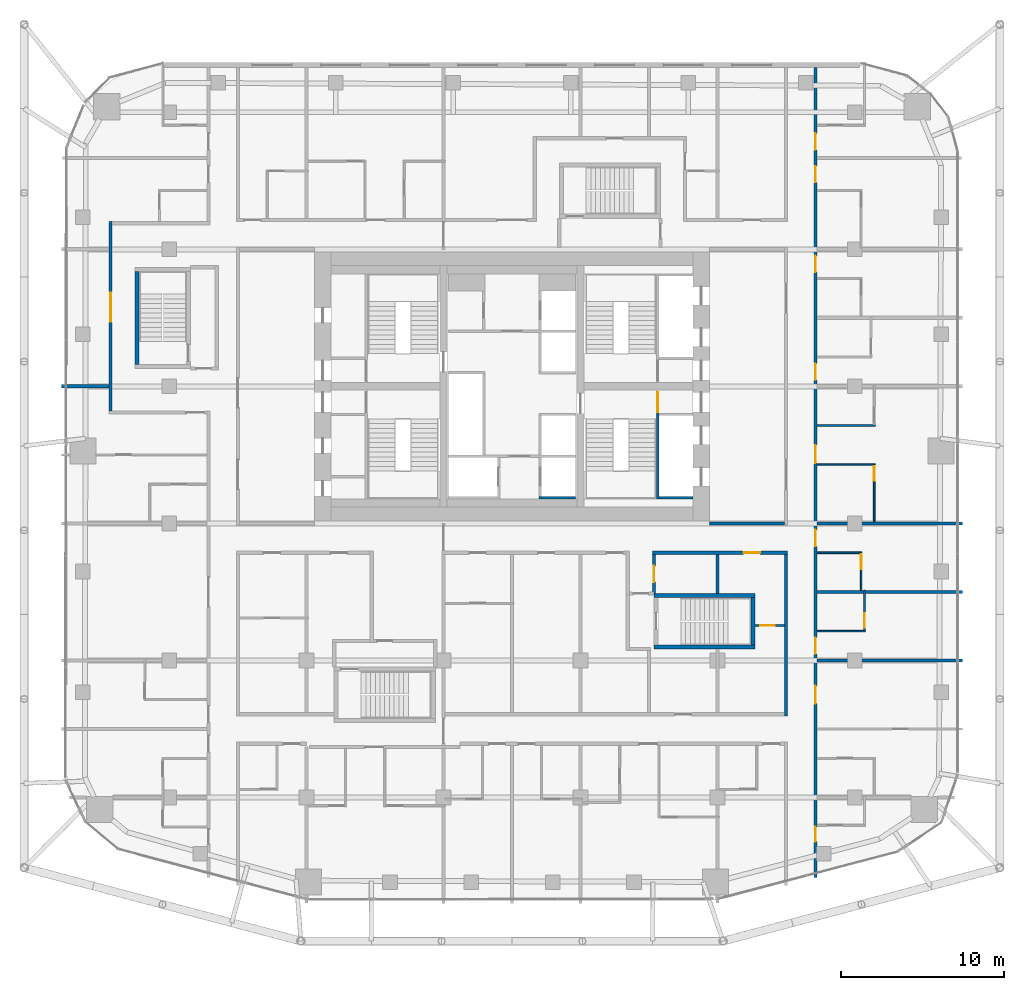
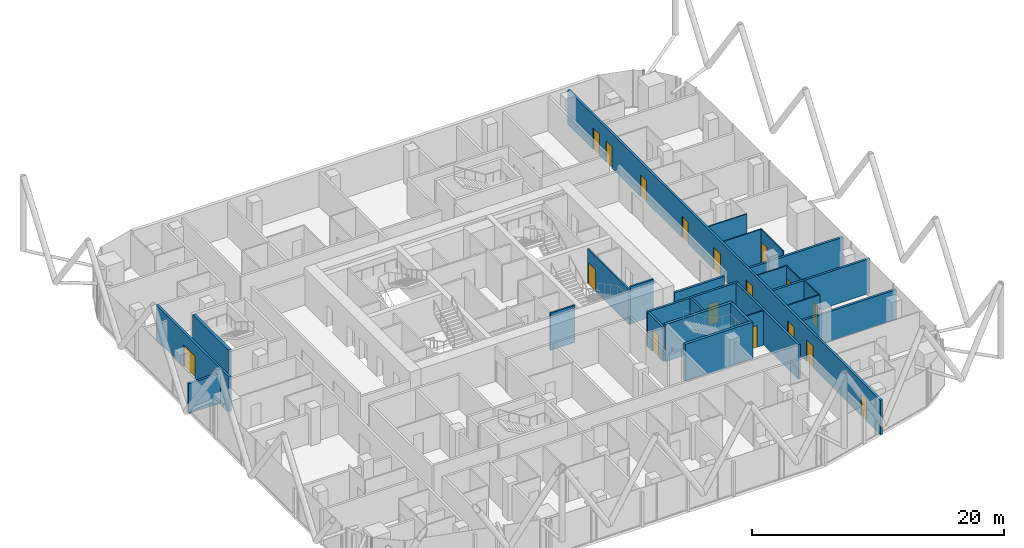
# One storey, part 30 of 36: 26 walls, 17 doors, 17 openings.
"""IFC4 building model written with IfcOpenShell, lengths in metres."""

import ifcopenshell
import ifcopenshell.guid

model = None  # the IFC model being written
_history = None  # IfcOwnerHistory: only IFC2X3 demands one
_inside = {}  # id of a spatial element -> (the spatial element, [elements in it])
_under = {}  # id of a project, library or spatial element -> (it, [spatial elements below it])
_declared = {}  # id of a project -> (the project, [libraries it declares])
_typed = {}  # id of a type object -> (the type object, [elements of that type])
_made_of = {}  # id of a material, layer set ... -> (it, [elements and type objects made of it])


def new_model(schema):
    """Start an empty IFC model of exactly this schema.

    Asked for "IFC4X3", IfcOpenShell would pick the latest addendum, in which some entities
    have other attributes; the version numbers below select the first issue.
    IFC2X3 requires an IfcOwnerHistory on every rooted entity: one is made here for all.
    """
    global model, _history
    if schema == "IFC4X3":
        model = ifcopenshell.file(schema_version=(4, 3, 0, 0))
    else:
        model = ifcopenshell.file(schema=schema)
    _inside.clear()
    _under.clear()
    _declared.clear()
    _typed.clear()
    _made_of.clear()
    _history = None
    if model.schema == "IFC2X3":
        org = make("IfcOrganization", Name="unknown")
        user = make(
            "IfcPersonAndOrganization",
            ThePerson=make("IfcPerson", FamilyName="unknown"),
            TheOrganization=org,
        )
        app = make(
            "IfcApplication",
            ApplicationDeveloper=org,
            Version="unknown",
            ApplicationFullName="unknown",
            ApplicationIdentifier="unknown",
        )
        _history = make(
            "IfcOwnerHistory",
            OwningUser=user,
            OwningApplication=app,
            ChangeAction="ADDED",
            CreationDate=0,
        )
    return model


def make(cls, **values):
    """One entity of the class cls with the attributes given. An attribute that is None is left unset."""
    return model.create_entity(
        cls, **{name: value for name, value in values.items() if value is not None}
    )


def rooted(cls, **values):
    """An entity with a GlobalId (a new one), such as an element, a storey or a relation."""
    return make(cls, GlobalId=ifcopenshell.guid.new(), OwnerHistory=_history, **values)


def si_unit(unit_type, name, prefix=None):
    """IfcSIUnit, for example si_unit("LENGTHUNIT", "METRE", prefix="MILLI")."""
    return make("IfcSIUnit", UnitType=unit_type, Prefix=prefix, Name=name)


def assignment(units):
    """IfcUnitAssignment: the units of a project."""
    return None if units is None else make("IfcUnitAssignment", Units=units)


def point(xyz):
    """IfcCartesianPoint."""
    return None if xyz is None else make("IfcCartesianPoint", Coordinates=xyz)


def direction(xyz):
    """IfcDirection."""
    return None if xyz is None else make("IfcDirection", DirectionRatios=xyz)


def frame(location, z_axis=None, x_axis=None):
    """IfcAxis2Placement3D, a coordinate frame: its origin and axes. An axis left out is left unset."""
    return make(
        "IfcAxis2Placement3D",
        Location=point(location),
        Axis=direction(z_axis),
        RefDirection=direction(x_axis),
    )


def frame_2d(location, x_axis=None):
    """IfcAxis2Placement2D, a coordinate frame in the plane: its origin and x axis."""
    return make(
        "IfcAxis2Placement2D", Location=point(location), RefDirection=direction(x_axis)
    )


def origin():
    """The frame at (0, 0, 0) with its axes left unset."""
    return frame((0.0, 0.0, 0.0))


def place(relative_to, where):
    """IfcLocalPlacement: puts the frame where relative to a parent placement (None: the world)."""
    return make(
        "IfcLocalPlacement", PlacementRelTo=relative_to, RelativePlacement=where
    )


def context(
    kind, dimensions, precision=None, world=None, true_north=None, identifier=None
):
    """IfcGeometricRepresentationContext, for example the 3D "Model" context."""
    return make(
        "IfcGeometricRepresentationContext",
        ContextIdentifier=identifier,
        ContextType=kind,
        CoordinateSpaceDimension=dimensions,
        Precision=precision,
        WorldCoordinateSystem=world,
        TrueNorth=true_north,
    )


def subcontext(parent, identifier, kind, view, scale=None):
    """IfcGeometricRepresentationSubContext, for example "Body" below "Model"."""
    return make(
        "IfcGeometricRepresentationSubContext",
        ContextIdentifier=identifier,
        ContextType=kind,
        ParentContext=parent,
        TargetScale=scale,
        TargetView=view,
    )


def project(units=None, contexts=None):
    """IfcProject with its units and contexts."""
    return rooted(
        "IfcProject",
        Name="project",
        RepresentationContexts=contexts,
        UnitsInContext=assignment(units),
    )


def spatial(cls, under=None, at=None, **own):
    """A site, building, storey or space (cls), placed at a placement, below another one or the project."""
    s = rooted(cls, ObjectPlacement=at, **own)
    if under is not None:
        _under.setdefault(under.id(), (under, []))[1].append(s)
    return s


def profile(cls, at=None, kind="AREA", **sizes):
    """A parametric profile (cls). Its sizes go by their IFC names, for example OverallWidth=200.0."""
    return make(cls, ProfileType=kind, Position=at, **sizes)


def rectangle(**sizes):
    """IfcRectangleProfileDef."""
    return profile("IfcRectangleProfileDef", **sizes)


def extrude(swept, where, along, depth):
    """IfcExtrudedAreaSolid: the profile swept, set in the frame where, extruded along a direction by depth."""
    return make(
        "IfcExtrudedAreaSolid",
        SweptArea=swept,
        Position=where,
        ExtrudedDirection=direction(along),
        Depth=depth,
    )


def shape(context_of_items, identifier, shape_type, items):
    """IfcShapeRepresentation: the items that make up one representation, for example the "Body"."""
    return make(
        "IfcShapeRepresentation",
        ContextOfItems=context_of_items,
        RepresentationIdentifier=identifier,
        RepresentationType=shape_type,
        Items=items,
    )


def material(Name=None, Category=None):
    """IfcMaterial."""
    return make("IfcMaterial", Name=Name, Category=Category)


def layer(
    of_material, thickness, ventilated=None, Name=None, Category=None, Priority=None
):
    """IfcMaterialLayer: one layer of a wall or slab, of a material (None: an air gap)."""
    return make(
        "IfcMaterialLayer",
        Material=of_material,
        LayerThickness=thickness,
        IsVentilated=ventilated,
        Name=Name,
        Category=Category,
        Priority=Priority,
    )


def layer_set(layers, Name=None):
    """IfcMaterialLayerSet."""
    return make("IfcMaterialLayerSet", MaterialLayers=layers, LayerSetName=Name)


def made_of(thing, what):
    """Note that an element or type object is made of a material, layer set ...; save() writes the relation."""
    if what is not None:
        _made_of.setdefault(what.id(), (what, []))[1].append(thing)
    return thing


def type_object(cls, material=None, **own):
    """A type object (cls), such as IfcWallType, which elements share."""
    return made_of(rooted(cls, **own), material)


def element(
    cls,
    number,
    at=None,
    inside=None,
    cuts=None,
    type_object=None,
    material=None,
    context=None,
    identifier="Body",
    shape_type=None,
    held_by="IfcProductDefinitionShape",
    body=None,
    shapes=None,
    **own,
):
    """One element of the class cls, such as IfcWall. Its Tag is "e" and its number.

    at: its placement. inside: the storey or other place that contains it. cuts: it is an
    opening in that element (IfcRelVoidsElement). A single representation is given by context,
    identifier, shape_type and body (its items); several are given by shapes. held_by: the class
    of the entity that holds the representations. save() writes the other relations.
    """
    e = rooted(cls, Tag="e%d" % number, ObjectPlacement=at, **own)
    if body is not None:
        shapes = [shape(context, identifier, shape_type, body)]
    if shapes is not None:
        e.Representation = make(held_by, Representations=shapes)
    if inside is not None:
        _inside.setdefault(inside.id(), (inside, []))[1].append(e)
    if cuts is not None:
        rooted(
            "IfcRelVoidsElement", RelatingBuildingElement=cuts, RelatedOpeningElement=e
        )
    if type_object is not None:
        _typed.setdefault(type_object.id(), (type_object, []))[1].append(e)
    return made_of(e, material)


def fill(opening, filler):
    """IfcRelFillsElement: the door or window that sits in an opening."""
    return rooted(
        "IfcRelFillsElement",
        RelatingOpeningElement=opening,
        RelatedBuildingElement=filler,
    )


def aggregate(whole, parts):
    """IfcRelAggregates: a whole, such as a stair, and the parts it consists of."""
    return rooted("IfcRelAggregates", RelatingObject=whole, RelatedObjects=parts)


def save(model, path):
    """Write the relations noted so far, then the file.

    IfcRelAggregates (storeys below a building ...), IfcRelContainedInSpatialStructure (elements
    in a storey), IfcRelDefinesByType, IfcRelAssociatesMaterial and IfcRelDeclares: one each for
    every whole, place, type object, material and project.
    """
    for whole, parts in _under.values():
        aggregate(whole, parts)
    for where, things in _inside.values():
        rooted(
            "IfcRelContainedInSpatialStructure",
            RelatedElements=things,
            RelatingStructure=where,
        )
    for kind, things in _typed.values():
        rooted("IfcRelDefinesByType", RelatedObjects=things, RelatingType=kind)
    for what, things in _made_of.values():
        rooted("IfcRelAssociatesMaterial", RelatedObjects=things, RelatingMaterial=what)
    for by, libraries in _declared.values():
        rooted("IfcRelDeclares", RelatingContext=by, RelatedDefinitions=libraries)
    model.write(path)


model = new_model("IFC4")

# Units and contexts
model_context = context("Model", 3, precision=1e-05, world=origin(), true_north=direction((0.0, 1.0)))
body_context = subcontext(model_context, "Body", "Model", "MODEL_VIEW")
ifc_project = project(units=[si_unit("LENGTHUNIT", "METRE"), si_unit("AREAUNIT", "SQUARE_METRE"), si_unit("VOLUMEUNIT", "CUBIC_METRE"), si_unit("PLANEANGLEUNIT", "RADIAN"), si_unit("MASSUNIT", "GRAM", prefix="KILO")], contexts=[model_context])

# Site, building, storey
site_placement = place(None, origin())
site = spatial("IfcSite", under=ifc_project, at=site_placement, CompositionType="ELEMENT")
building_placement = place(site_placement, origin())
building = spatial("IfcBuilding", under=site, at=building_placement, Name="Marenta Gate Hotel Tower", CompositionType="ELEMENT")
storey_placement = place(building_placement, frame((0.0, 0.0, 130.10009765625)))
storey = spatial("IfcBuildingStorey", under=building, at=storey_placement, Name="L29", CompositionType="ELEMENT", Elevation=130.10009765625)

# Walls
ifc_material_1 = material(Name="Concrete blockwork", Category="masonry")
ifc_layer_1 = layer(ifc_material_1, 0.199951171875)
ifc_layer_set_1 = layer_set([ifc_layer_1], Name="Concrete blockwork")
wall_type_1 = type_object("IfcWallType", Name="Core boundary wall 200 REI 180", PredefinedType="PARTITIONING", material=ifc_layer_set_1)
wall_1_placement = place(storey_placement, frame((12.10009765625, 0.0, 0.0), z_axis=(0.0, 0.0, 1.0), x_axis=(1.0, 0.0, 0.0)))
element("IfcWall", 1, at=wall_1_placement, inside=storey, type_object=wall_type_1, Name="L29-CP-EW-ES", PredefinedType="PARTITIONING", context=body_context, shape_type="SweptSolid", body=[
    extrude(rectangle(XDim=4.599853515625, YDim=0.199951171875, at=frame_2d((2.2998046875, 0.0))), origin(), (0.0, 0.0, 1.0), 2.889892578125),
])
ifc_material_2 = material(Name="Concrete C40", Category="concrete")
ifc_layer_2 = layer(ifc_material_2, 0.14990234375)
ifc_layer_set_2 = layer_set([ifc_layer_2], Name="Concrete C40")
wall_type_2 = type_object("IfcWallType", Name="Core shaft wall 150 REI 180", PredefinedType="SHEAR", material=ifc_layer_set_2)
wall_2_placement = place(storey_placement, frame((9.0, 1.574951171875, 0.0), z_axis=(0.0, 0.0, 1.0), x_axis=(1.0, 0.0, 0.0)))
element("IfcWall", 2, at=wall_2_placement, inside=storey, type_object=wall_type_2, Name="L29-SHF-SW-ES-5", PredefinedType="SHEAR", context=body_context, shape_type="SweptSolid", body=[
    extrude(rectangle(XDim=2.10009765625, YDim=0.14990234375, at=frame_2d((1.050048828125, 0.0))), origin(), (0.0, 0.0, 1.0), 3.599853515625),
])
wall_3_placement = place(storey_placement, frame((1.64990234375, 1.574951171875, 0.0), z_axis=(0.0, 0.0, 1.0), x_axis=(1.0, 0.0, 0.0)))
element("IfcWall", 3, at=wall_3_placement, inside=storey, type_object=wall_type_2, Name="L29-SHF-CE-S-bot", PredefinedType="SHEAR", context=body_context, shape_type="SweptSolid", body=[
    extrude(rectangle(XDim=2.25, YDim=0.14990234375, at=frame_2d((1.125, 0.0))), origin(), (0.0, 0.0, 1.0), 3.599853515625),
])

# Wall, opening, door
ifc_material_3 = material(Name="Concrete C40", Category="concrete")
ifc_layer_3 = layer(ifc_material_3, 0.14990234375)
ifc_layer_set_3 = layer_set([ifc_layer_3], Name="Concrete C40")
wall_type_3 = type_object("IfcWallType", Name="Core stair enclosure wall 150 REI 180", PredefinedType="SHEAR", material=ifc_layer_set_3)
wall_4_placement = place(storey_placement, frame((8.925048828125, 1.5, 0.0), z_axis=(0.0, 0.0, 1.0), x_axis=(0.0, 1.0, 0.0)))
wall_4 = element("IfcWall", 4, at=wall_4_placement, inside=storey, type_object=wall_type_3, Name="L29-SHF-SW-ES-3", PredefinedType="SHEAR", context=body_context, shape_type="SweptSolid", body=[
    extrude(rectangle(XDim=6.60009765625, YDim=0.14990234375, at=frame_2d((3.300048828125, 0.0))), origin(), (0.0, 0.0, 1.0), 3.33984375),
])
opening_1_placement = place(wall_4_placement, frame((5.324951171875, 0.0, 0.0)))
opening_1 = element("IfcOpeningElement", 5, at=opening_1_placement, cuts=wall_4, Name="Opening SD-ES", PredefinedType="OPENING", context=body_context, shape_type="SweptSolid", body=[
    extrude(rectangle(XDim=1.199951171875, YDim=2.10009765625, at=frame_2d((0.60009765625, 1.050048828125))), frame((0.0, 0.074951171875, 0.0), z_axis=(0.0, -1.0, 0.0), x_axis=(1.0, 0.0, 0.0)), (0.0, 0.0, 1.0), 0.14990234375),
])
ifc_material_4 = material(Name="Steel", Category="steel")
door_type_1 = type_object("IfcDoorType", Name="Core stair door 1200x2100 FD60", OperationType="SINGLE_SWING_LEFT", PredefinedType="DOOR", material=ifc_material_4)
door_1_placement = place(opening_1_placement, origin())
door_1 = element("IfcDoor", 6, at=door_1_placement, inside=storey, type_object=door_type_1, Name="SD-ES", OperationType="SINGLE_SWING_LEFT", OverallHeight=2.10009765625, OverallWidth=1.199951171875, PredefinedType="DOOR", context=body_context, shape_type="SweptSolid", body=[
    extrude(rectangle(XDim=1.199951171875, YDim=2.10009765625, at=frame_2d((0.60009765625, 1.050048828125))), frame((0.0, 0.02490234375, 0.0), z_axis=(0.0, -1.0, 0.0), x_axis=(1.0, 0.0, 0.0)), (0.0, 0.0, 1.0), 0.050048828125),
])
fill(opening_1, door_1)

# Walls
ifc_material_5 = material(Name="Concrete C40", Category="concrete")
ifc_layer_4 = layer(ifc_material_5, 0.25)
ifc_layer_set_4 = layer_set([ifc_layer_4], Name="Concrete C40")
wall_type_4 = type_object("IfcWallType", Name="Remote stair enclosure wall 250 REI 180", PredefinedType="SHEAR", material=ifc_layer_set_4)
wall_5_placement = place(storey_placement, frame((-22.97509765625, 9.75, 0.099853515625), z_axis=(0.0, 0.0, 1.0), x_axis=(0.0, 1.0, 0.0)))
element("IfcWall", 7, at=wall_5_placement, inside=storey, type_object=wall_type_4, Name="L29-RS-Z1-3-W3", PredefinedType="SHEAR", context=body_context, shape_type="SweptSolid", body=[
    extrude(rectangle(XDim=5.699951171875, YDim=0.25, at=frame_2d((2.85009765625, 0.0))), origin(), (0.0, 0.0, 1.0), 3.60009765625),
])
for number, where, z_axis, x_axis, name in (
    (8, (8.699951171875, -7.574951171875, 0.099853515625), (0.0, 0.0, 1.0), (1.0, 0.0, 0.0), "L29-RS-Z2-2-W1"),
    (9, (8.699951171875, -4.425048828125, 0.099853515625), (0.0, 0.0, 1.0), (1.0, 0.0, 0.0), "L29-RS-Z2-2-W2"),
):
    element("IfcWall", number, at=place(storey_placement, frame(where, z_axis=z_axis, x_axis=x_axis)), inside=storey, type_object=wall_type_4, Name=name, PredefinedType="SHEAR", context=body_context, shape_type="SweptSolid", body=[
        extrude(rectangle(XDim=6.199951171875, YDim=0.25, at=frame_2d((3.10009765625, 0.0))), origin(), (0.0, 0.0, 1.0), 3.60009765625),
    ])
wall_6_placement = place(storey_placement, frame((14.77490234375, -7.449951171875, 0.099853515625), z_axis=(0.0, 0.0, 1.0), x_axis=(0.0, 1.0, 0.0)))
element("IfcWall", 10, at=wall_6_placement, inside=storey, type_object=wall_type_4, Name="L29-RS-Z2-2-W4", PredefinedType="SHEAR", context=body_context, shape_type="SweptSolid", body=[
    extrude(rectangle(XDim=2.89990234375, YDim=0.25, at=frame_2d((1.449951171875, 0.0))), origin(), (0.0, 0.0, 1.0), 3.60009765625),
])
ifc_material_6 = material(Name="Concrete blockwork", Category="masonry")
ifc_layer_5 = layer(ifc_material_6, 0.199951171875)
ifc_layer_set_5 = layer_set([ifc_layer_5], Name="Concrete blockwork")
wall_type_5 = type_object("IfcWallType", Name="Room corridor wall 200 EI 120", PredefinedType="PARTITIONING", material=ifc_layer_set_5)
wall_7_placement = place(storey_placement, frame((16.800048828125, -11.800048828125, 0.0), z_axis=(0.0, 0.0, 1.0), x_axis=(0.0, 1.0, 0.0)))
element("IfcWall", 11, at=wall_7_placement, inside=storey, type_object=wall_type_5, Name="L29-PTN-W021", PredefinedType="PARTITIONING", context=body_context, shape_type="SweptSolid", body=[
    extrude(rectangle(XDim=9.900146484375, YDim=0.199951171875, at=frame_2d((4.9501953125, 0.0))), origin(), (0.0, 0.0, 1.0), 3.33984375),
])

# Wall, openings, doors
ifc_material_7 = material(Name="Gypsum board on steel stud", Category="steel")
ifc_layer_6 = layer(ifc_material_7, 0.199951171875)
ifc_layer_set_6 = layer_set([ifc_layer_6], Name="Gypsum board on steel stud")
wall_type_6 = type_object("IfcWallType", Name="Room corridor wall 200 EI 60", PredefinedType="PARTITIONING", material=ifc_layer_set_6)
wall_8_placement = place(storey_placement, frame((18.60009765625, -21.7080078125, 0.0), z_axis=(0.0, 0.0, 1.0), x_axis=(0.0, 1.0, 0.0)))
wall_8 = element("IfcWall", 12, at=wall_8_placement, inside=storey, type_object=wall_type_6, Name="L29-PTN-W011", PredefinedType="PARTITIONING", context=body_context, shape_type="SweptSolid", body=[
    extrude(rectangle(XDim=49.64794921875, YDim=0.199951171875, at=frame_2d((24.823974609375, 0.0))), origin(), (0.0, 0.0, 1.0), 3.33984375),
])
opening_2_placement = place(wall_8_placement, frame((2.2041015625, 0.0, 0.0)))
opening_2 = element("IfcOpeningElement", 13, at=opening_2_placement, cuts=wall_8, Name="Opening G10-10", PredefinedType="OPENING", context=body_context, shape_type="SweptSolid", body=[
    extrude(rectangle(XDim=0.89990234375, YDim=2.10009765625, at=frame_2d((0.449951171875, 1.050048828125))), frame((0.0, 0.10009765625, 0.0), z_axis=(0.0, -1.0, 0.0), x_axis=(1.0, 0.0, 0.0)), (0.0, 0.0, 1.0), 0.199951171875),
])
opening_3_placement = place(wall_8_placement, frame((10.657958984375, 0.0, 0.0)))
opening_3 = element("IfcOpeningElement", 14, at=opening_3_placement, cuts=wall_8, Name="Opening G10-12", PredefinedType="OPENING", context=body_context, shape_type="SweptSolid", body=[
    extrude(rectangle(XDim=1.10009765625, YDim=2.10009765625, at=frame_2d((0.550048828125, 1.050048828125))), frame((0.0, 0.10009765625, 0.0), z_axis=(0.0, -1.0, 0.0), x_axis=(1.0, 0.0, 0.0)), (0.0, 0.0, 1.0), 0.199951171875),
])
opening_4_placement = place(wall_8_placement, frame((13.7080078125, 0.0, 0.0)))
opening_4 = element("IfcOpeningElement", 15, at=opening_4_placement, cuts=wall_8, Name="Opening G10-15", PredefinedType="OPENING", context=body_context, shape_type="SweptSolid", body=[
    extrude(rectangle(XDim=1.0, YDim=2.10009765625, at=frame_2d((0.5, 1.050048828125))), frame((0.0, 0.10009765625, 0.0), z_axis=(0.0, -1.0, 0.0), x_axis=(1.0, 0.0, 0.0)), (0.0, 0.0, 1.0), 0.199951171875),
])
opening_5_placement = place(wall_8_placement, frame((20.30810546875, 0.0, 0.0)))
opening_5 = element("IfcOpeningElement", 16, at=opening_5_placement, cuts=wall_8, Name="Opening G10-17", PredefinedType="OPENING", context=body_context, shape_type="SweptSolid", body=[
    extrude(rectangle(XDim=1.0, YDim=2.10009765625, at=frame_2d((0.5, 1.050048828125))), frame((0.0, 0.10009765625, 0.0), z_axis=(0.0, -1.0, 0.0), x_axis=(1.0, 0.0, 0.0)), (0.0, 0.0, 1.0), 0.199951171875),
])
opening_6_placement = place(wall_8_placement, frame((25.407958984375, 0.0, 0.0)))
opening_6 = element("IfcOpeningElement", 17, at=opening_6_placement, cuts=wall_8, Name="Opening G10-19", PredefinedType="OPENING", context=body_context, shape_type="SweptSolid", body=[
    extrude(rectangle(XDim=1.10009765625, YDim=2.10009765625, at=frame_2d((0.550048828125, 1.050048828125))), frame((0.0, 0.10009765625, 0.0), z_axis=(0.0, -1.0, 0.0), x_axis=(1.0, 0.0, 0.0)), (0.0, 0.0, 1.0), 0.199951171875),
])
opening_7_placement = place(wall_8_placement, frame((30.508056640625, 0.0, 0.0)))
opening_7 = element("IfcOpeningElement", 18, at=opening_7_placement, cuts=wall_8, Name="Opening G10-22", PredefinedType="OPENING", context=body_context, shape_type="SweptSolid", body=[
    extrude(rectangle(XDim=1.0, YDim=2.10009765625, at=frame_2d((0.5, 1.050048828125))), frame((0.0, 0.10009765625, 0.0), z_axis=(0.0, -1.0, 0.0), x_axis=(1.0, 0.0, 0.0)), (0.0, 0.0, 1.0), 0.199951171875),
])
opening_8_placement = place(wall_8_placement, frame((37.10791015625, 0.0, 0.0)))
opening_8 = element("IfcOpeningElement", 19, at=opening_8_placement, cuts=wall_8, Name="Opening G10-24", PredefinedType="OPENING", context=body_context, shape_type="SweptSolid", body=[
    extrude(rectangle(XDim=1.0, YDim=2.10009765625, at=frame_2d((0.5, 1.050048828125))), frame((0.0, 0.10009765625, 0.0), z_axis=(0.0, -1.0, 0.0), x_axis=(1.0, 0.0, 0.0)), (0.0, 0.0, 1.0), 0.199951171875),
])
opening_9_placement = place(wall_8_placement, frame((42.60791015625, 0.0, 0.0)))
opening_9 = element("IfcOpeningElement", 20, at=opening_9_placement, cuts=wall_8, Name="Opening G10-26", PredefinedType="OPENING", context=body_context, shape_type="SweptSolid", body=[
    extrude(rectangle(XDim=1.0, YDim=2.10009765625, at=frame_2d((0.5, 1.050048828125))), frame((0.0, 0.10009765625, 0.0), z_axis=(0.0, -1.0, 0.0), x_axis=(1.0, 0.0, 0.0)), (0.0, 0.0, 1.0), 0.199951171875),
])
opening_10_placement = place(wall_8_placement, frame((44.60791015625, 0.0, 0.0)))
opening_10 = element("IfcOpeningElement", 21, at=opening_10_placement, cuts=wall_8, Name="Opening G10-28", PredefinedType="OPENING", context=body_context, shape_type="SweptSolid", body=[
    extrude(rectangle(XDim=1.0, YDim=2.10009765625, at=frame_2d((0.5, 1.050048828125))), frame((0.0, 0.10009765625, 0.0), z_axis=(0.0, -1.0, 0.0), x_axis=(1.0, 0.0, 0.0)), (0.0, 0.0, 1.0), 0.199951171875),
])
ifc_material_8 = material(Name="Timber door leaf", Category="wood")
door_type_2 = type_object("IfcDoorType", Name="Guest room door 1000x2100 EI 30", OperationType="NOTDEFINED", PredefinedType="DOOR", material=ifc_material_8)
door_2_placement = place(opening_4_placement, origin())
door_2 = element("IfcDoor", 22, at=door_2_placement, inside=storey, type_object=door_type_2, Name="L29-PD-D015", OperationType="SINGLE_SWING_LEFT", OverallHeight=2.10009765625, OverallWidth=1.0, PredefinedType="DOOR", context=body_context, shape_type="SweptSolid", body=[
    extrude(rectangle(XDim=1.0, YDim=2.10009765625, at=frame_2d((0.5, 1.050048828125))), frame((0.0, 0.02490234375, 0.0), z_axis=(0.0, -1.0, 0.0), x_axis=(1.0, 0.0, 0.0)), (0.0, 0.0, 1.0), 0.050048828125),
])
fill(opening_4, door_2)
door_3_placement = place(opening_5_placement, origin())
door_3 = element("IfcDoor", 23, at=door_3_placement, inside=storey, type_object=door_type_2, Name="L29-PD-D017", OperationType="SINGLE_SWING_LEFT", OverallHeight=2.10009765625, OverallWidth=1.0, PredefinedType="DOOR", context=body_context, shape_type="SweptSolid", body=[
    extrude(rectangle(XDim=1.0, YDim=2.10009765625, at=frame_2d((0.5, 1.050048828125))), frame((0.0, 0.02490234375, 0.0), z_axis=(0.0, -1.0, 0.0), x_axis=(1.0, 0.0, 0.0)), (0.0, 0.0, 1.0), 0.050048828125),
])
fill(opening_5, door_3)
door_4_placement = place(opening_7_placement, origin())
door_4 = element("IfcDoor", 24, at=door_4_placement, inside=storey, type_object=door_type_2, Name="L29-PD-D022", OperationType="SINGLE_SWING_RIGHT", OverallHeight=2.10009765625, OverallWidth=1.0, PredefinedType="DOOR", context=body_context, shape_type="SweptSolid", body=[
    extrude(rectangle(XDim=1.0, YDim=2.10009765625, at=frame_2d((0.5, 1.050048828125))), frame((0.0, 0.02490234375, 0.0), z_axis=(0.0, -1.0, 0.0), x_axis=(1.0, 0.0, 0.0)), (0.0, 0.0, 1.0), 0.050048828125),
])
fill(opening_7, door_4)
door_5_placement = place(opening_8_placement, origin())
door_5 = element("IfcDoor", 25, at=door_5_placement, inside=storey, type_object=door_type_2, Name="L29-PD-D024", OperationType="SINGLE_SWING_RIGHT", OverallHeight=2.10009765625, OverallWidth=1.0, PredefinedType="DOOR", context=body_context, shape_type="SweptSolid", body=[
    extrude(rectangle(XDim=1.0, YDim=2.10009765625, at=frame_2d((0.5, 1.050048828125))), frame((0.0, 0.02490234375, 0.0), z_axis=(0.0, -1.0, 0.0), x_axis=(1.0, 0.0, 0.0)), (0.0, 0.0, 1.0), 0.050048828125),
])
fill(opening_8, door_5)
door_6_placement = place(opening_9_placement, origin())
door_6 = element("IfcDoor", 26, at=door_6_placement, inside=storey, type_object=door_type_2, Name="L29-PD-D026", OperationType="SINGLE_SWING_RIGHT", OverallHeight=2.10009765625, OverallWidth=1.0, PredefinedType="DOOR", context=body_context, shape_type="SweptSolid", body=[
    extrude(rectangle(XDim=1.0, YDim=2.10009765625, at=frame_2d((0.5, 1.050048828125))), frame((0.0, 0.02490234375, 0.0), z_axis=(0.0, -1.0, 0.0), x_axis=(1.0, 0.0, 0.0)), (0.0, 0.0, 1.0), 0.050048828125),
])
fill(opening_9, door_6)
door_7_placement = place(opening_10_placement, origin())
door_7 = element("IfcDoor", 27, at=door_7_placement, inside=storey, type_object=door_type_2, Name="L29-PD-D028", OperationType="SINGLE_SWING_RIGHT", OverallHeight=2.10009765625, OverallWidth=1.0, PredefinedType="DOOR", context=body_context, shape_type="SweptSolid", body=[
    extrude(rectangle(XDim=1.0, YDim=2.10009765625, at=frame_2d((0.5, 1.050048828125))), frame((0.0, 0.02490234375, 0.0), z_axis=(0.0, -1.0, 0.0), x_axis=(1.0, 0.0, 0.0)), (0.0, 0.0, 1.0), 0.050048828125),
])
fill(opening_10, door_7)
ifc_material_9 = material(Name="Timber door leaf", Category="wood")
door_type_3 = type_object("IfcDoorType", Name="Guest room door 1100x2100 EI 30", OperationType="NOTDEFINED", PredefinedType="DOOR", material=ifc_material_9)
door_8_placement = place(opening_3_placement, origin())
door_8 = element("IfcDoor", 28, at=door_8_placement, inside=storey, type_object=door_type_3, Name="L29-PD-D012", OperationType="SINGLE_SWING_RIGHT", OverallHeight=2.10009765625, OverallWidth=1.10009765625, PredefinedType="DOOR", context=body_context, shape_type="SweptSolid", body=[
    extrude(rectangle(XDim=1.10009765625, YDim=2.10009765625, at=frame_2d((0.550048828125, 1.050048828125))), frame((0.0, 0.02490234375, 0.0), z_axis=(0.0, -1.0, 0.0), x_axis=(1.0, 0.0, 0.0)), (0.0, 0.0, 1.0), 0.050048828125),
])
fill(opening_3, door_8)
door_9_placement = place(opening_6_placement, origin())
door_9 = element("IfcDoor", 29, at=door_9_placement, inside=storey, type_object=door_type_3, Name="L29-PD-D019", OperationType="SINGLE_SWING_RIGHT", OverallHeight=2.10009765625, OverallWidth=1.10009765625, PredefinedType="DOOR", context=body_context, shape_type="SweptSolid", body=[
    extrude(rectangle(XDim=1.10009765625, YDim=2.10009765625, at=frame_2d((0.550048828125, 1.050048828125))), frame((0.0, 0.02490234375, 0.0), z_axis=(0.0, -1.0, 0.0), x_axis=(1.0, 0.0, 0.0)), (0.0, 0.0, 1.0), 0.050048828125),
])
fill(opening_6, door_9)
ifc_material_10 = material(Name="Timber door leaf", Category="wood")
door_type_4 = type_object("IfcDoorType", Name="Guest room door 900x2100 EI 30", OperationType="NOTDEFINED", PredefinedType="DOOR", material=ifc_material_10)
door_10_placement = place(opening_2_placement, origin())
door_10 = element("IfcDoor", 30, at=door_10_placement, inside=storey, type_object=door_type_4, Name="L29-PD-D010", OperationType="SINGLE_SWING_LEFT", OverallHeight=2.10009765625, OverallWidth=0.89990234375, PredefinedType="DOOR", context=body_context, shape_type="SweptSolid", body=[
    extrude(rectangle(XDim=0.89990234375, YDim=2.10009765625, at=frame_2d((0.449951171875, 1.050048828125))), frame((0.0, 0.02490234375, 0.0), z_axis=(0.0, -1.0, 0.0), x_axis=(1.0, 0.0, 0.0)), (0.0, 0.0, 1.0), 0.050048828125),
])
fill(opening_2, door_10)

# Wall, opening, door
wall_9_placement = place(storey_placement, frame((8.699951171875, -4.300048828125, 0.0), z_axis=(0.0, 0.0, 1.0), x_axis=(0.0, 1.0, 0.0)))
wall_9 = element("IfcWall", 31, at=wall_9_placement, inside=storey, type_object=wall_type_6, Name="L29-PTN-W045", PredefinedType="PARTITIONING", context=body_context, shape_type="SweptSolid", body=[
    extrude(rectangle(XDim=2.400146484375, YDim=0.199951171875, at=frame_2d((1.2001953125, 0.0))), origin(), (0.0, 0.0, 1.0), 3.33984375),
])
opening_11_placement = place(wall_9_placement, frame((0.699951171875, 0.0, 0.0)))
opening_11 = element("IfcOpeningElement", 32, at=opening_11_placement, cuts=wall_9, Name="Opening G10-74", PredefinedType="OPENING", context=body_context, shape_type="SweptSolid", body=[
    extrude(rectangle(XDim=1.0, YDim=2.10009765625, at=frame_2d((0.5, 1.050048828125))), frame((0.0, 0.10009765625, 0.0), z_axis=(0.0, -1.0, 0.0), x_axis=(1.0, 0.0, 0.0)), (0.0, 0.0, 1.0), 0.199951171875),
])
ifc_material_11 = material(Name="Timber door leaf", Category="wood")
door_type_5 = type_object("IfcDoorType", Name="Room amenity door 1000x2100 EI 30", OperationType="NOTDEFINED", PredefinedType="DOOR", material=ifc_material_11)
door_11_placement = place(opening_11_placement, origin())
door_11 = element("IfcDoor", 33, at=door_11_placement, inside=storey, type_object=door_type_5, Name="L29-PD-D074", OperationType="SINGLE_SWING_LEFT", OverallHeight=2.10009765625, OverallWidth=1.0, PredefinedType="DOOR", context=body_context, shape_type="SweptSolid", body=[
    extrude(rectangle(XDim=1.0, YDim=2.10009765625, at=frame_2d((0.5, 1.050048828125))), frame((0.0, 0.02490234375, 0.0), z_axis=(0.0, -1.0, 0.0), x_axis=(1.0, 0.0, 0.0)), (0.0, 0.0, 1.0), 0.050048828125),
])
fill(opening_11, door_11)

wall_10_placement = place(storey_placement, frame((8.60009765625, -1.800048828125, 0.0), z_axis=(0.0, 0.0, 1.0), x_axis=(1.0, 0.0, 0.0)))
wall_10 = element("IfcWall", 34, at=wall_10_placement, inside=storey, type_object=wall_type_6, Name="L29-PTN-W069", PredefinedType="PARTITIONING", context=body_context, shape_type="SweptSolid", body=[
    extrude(rectangle(XDim=8.2998046875, YDim=0.199951171875, at=frame_2d((4.14990234375, 0.0))), origin(), (0.0, 0.0, 1.0), 3.33984375),
])
opening_12_placement = place(wall_10_placement, frame((5.60009765625, 0.0, 0.0)))
opening_12 = element("IfcOpeningElement", 35, at=opening_12_placement, cuts=wall_10, Name="Opening G10-08", PredefinedType="OPENING", context=body_context, shape_type="SweptSolid", body=[
    extrude(rectangle(XDim=1.0, YDim=2.10009765625, at=frame_2d((0.5, 1.050048828125))), frame((0.0, 0.10009765625, 0.0), z_axis=(0.0, -1.0, 0.0), x_axis=(1.0, 0.0, 0.0)), (0.0, 0.0, 1.0), 0.199951171875),
])
ifc_material_12 = material(Name="Hollow steel door set", Category="steel")
door_type_6 = type_object("IfcDoorType", Name="Room service door 1000x2100 EI 30", OperationType="NOTDEFINED", PredefinedType="DOOR", material=ifc_material_12)
door_12_placement = place(opening_12_placement, origin())
door_12 = element("IfcDoor", 36, at=door_12_placement, inside=storey, type_object=door_type_6, Name="L29-PD-D008", OperationType="SINGLE_SWING_RIGHT", OverallHeight=2.10009765625, OverallWidth=1.0, PredefinedType="DOOR", context=body_context, shape_type="SweptSolid", body=[
    extrude(rectangle(XDim=1.0, YDim=2.10009765625, at=frame_2d((0.5, 1.050048828125))), frame((0.0, 0.02490234375, 0.0), z_axis=(0.0, -1.0, 0.0), x_axis=(1.0, 0.0, 0.0)), (0.0, 0.0, 1.0), 0.050048828125),
])
fill(opening_12, door_12)

wall_11_placement = place(storey_placement, frame((-24.60009765625, 6.89990234375, 0.0), z_axis=(0.0, 0.0, 1.0), x_axis=(0.0, 1.0, 0.0)))
wall_11 = element("IfcWall", 37, at=wall_11_placement, inside=storey, type_object=wall_type_6, Name="L29-PTN-W131", PredefinedType="PARTITIONING", context=body_context, shape_type="SweptSolid", body=[
    extrude(rectangle(XDim=11.60009765625, YDim=0.199951171875, at=frame_2d((5.800048828125, 0.0))), origin(), (0.0, 0.0, 1.0), 3.33984375),
])
opening_13_placement = place(wall_11_placement, frame((5.449951171875, 0.0, 0.0)))
opening_13 = element("IfcOpeningElement", 38, at=opening_13_placement, cuts=wall_11, Name="Opening G10-64", PredefinedType="OPENING", context=body_context, shape_type="SweptSolid", body=[
    extrude(rectangle(XDim=1.800048828125, YDim=2.10009765625, at=frame_2d((0.89990234375, 1.050048828125))), frame((0.0, 0.10009765625, 0.0), z_axis=(0.0, -1.0, 0.0), x_axis=(1.0, 0.0, 0.0)), (0.0, 0.0, 1.0), 0.199951171875),
])
ifc_material_13 = material(Name="Timber door leaf", Category="wood")
door_type_7 = type_object("IfcDoorType", Name="Room amenity door 1800x2100 EI 30", OperationType="DOUBLE_DOOR_SINGLE_SWING", PredefinedType="DOOR", material=ifc_material_13)
door_13_placement = place(opening_13_placement, origin())
door_13 = element("IfcDoor", 39, at=door_13_placement, inside=storey, type_object=door_type_7, Name="L29-PD-D064", OperationType="DOUBLE_DOOR_SINGLE_SWING", OverallHeight=2.10009765625, OverallWidth=1.800048828125, PredefinedType="DOOR", context=body_context, shape_type="SweptSolid", body=[
    extrude(rectangle(XDim=1.800048828125, YDim=2.10009765625, at=frame_2d((0.89990234375, 1.050048828125))), frame((0.0, 0.02490234375, 0.0), z_axis=(0.0, -1.0, 0.0), x_axis=(1.0, 0.0, 0.0)), (0.0, 0.0, 1.0), 0.050048828125),
])
fill(opening_13, door_13)

ifc_material_14 = material(Name="Gypsum board on steel stud", Category="steel")
ifc_layer_7 = layer(ifc_material_14, 0.10009765625)
ifc_layer_set_7 = layer_set([ifc_layer_7], Name="Gypsum board on steel stud")
wall_type_7 = type_object("IfcWallType", Name="Room partition 100", PredefinedType="PARTITIONING", material=ifc_layer_set_7)
wall_12_placement = place(storey_placement, frame((22.199951171875, 0.10009765625, 0.0), z_axis=(0.0, 0.0, 1.0), x_axis=(0.0, 1.0, 0.0)))
wall_12 = element("IfcWall", 40, at=wall_12_placement, inside=storey, type_object=wall_type_7, Name="L29-PTN-W002", PredefinedType="PARTITIONING", context=body_context, shape_type="SweptSolid", body=[
    extrude(rectangle(XDim=3.5498046875, YDim=0.10009765625, at=frame_2d((1.77490234375, 0.0))), origin(), (0.0, 0.0, 1.0), 3.33984375),
])
opening_14_placement = place(wall_12_placement, frame((2.5, 0.0, 0.0)))
opening_14 = element("IfcOpeningElement", 41, at=opening_14_placement, cuts=wall_12, Name="Opening G10-20", PredefinedType="OPENING", context=body_context, shape_type="SweptSolid", body=[
    extrude(rectangle(XDim=0.89990234375, YDim=2.10009765625, at=frame_2d((0.449951171875, 1.050048828125))), frame((0.0, 0.050048828125, 0.0), z_axis=(0.0, -1.0, 0.0), x_axis=(1.0, 0.0, 0.0)), (0.0, 0.0, 1.0), 0.10009765625),
])
ifc_material_15 = material(Name="Timber door leaf", Category="wood")
door_type_8 = type_object("IfcDoorType", Name="Guest bathroom door 900x2100", OperationType="NOTDEFINED", PredefinedType="DOOR", material=ifc_material_15)
door_14_placement = place(opening_14_placement, origin())
door_14 = element("IfcDoor", 42, at=door_14_placement, inside=storey, type_object=door_type_8, Name="L29-PD-D020", OperationType="SINGLE_SWING_RIGHT", OverallHeight=2.10009765625, OverallWidth=0.89990234375, PredefinedType="DOOR", context=body_context, shape_type="SweptSolid", body=[
    extrude(rectangle(XDim=0.89990234375, YDim=2.10009765625, at=frame_2d((0.449951171875, 1.050048828125))), frame((0.0, 0.02490234375, 0.0), z_axis=(0.0, -1.0, 0.0), x_axis=(1.0, 0.0, 0.0)), (0.0, 0.0, 1.0), 0.050048828125),
])
fill(opening_14, door_14)

wall_13_placement = place(storey_placement, frame((21.60009765625, -6.550048828125, 0.0), z_axis=(0.0, 0.0, 1.0), x_axis=(0.0, 1.0, 0.0)))
wall_13 = element("IfcWall", 43, at=wall_13_placement, inside=storey, type_object=wall_type_7, Name="L29-PTN-W006", PredefinedType="PARTITIONING", context=body_context, shape_type="SweptSolid", body=[
    extrude(rectangle(XDim=2.449951171875, YDim=0.10009765625, at=frame_2d((1.22509765625, 0.0))), origin(), (0.0, 0.0, 1.0), 3.33984375),
])
opening_15_placement = place(wall_13_placement, frame((0.14990234375, 0.0, 0.0)))
opening_15 = element("IfcOpeningElement", 44, at=opening_15_placement, cuts=wall_13, Name="Opening G10-16", PredefinedType="OPENING", context=body_context, shape_type="SweptSolid", body=[
    extrude(rectangle(XDim=0.89990234375, YDim=2.10009765625, at=frame_2d((0.449951171875, 1.050048828125))), frame((0.0, 0.050048828125, 0.0), z_axis=(0.0, -1.0, 0.0), x_axis=(1.0, 0.0, 0.0)), (0.0, 0.0, 1.0), 0.10009765625),
])
door_15_placement = place(opening_15_placement, origin())
door_15 = element("IfcDoor", 45, at=door_15_placement, inside=storey, type_object=door_type_8, Name="L29-PD-D016", OperationType="SINGLE_SWING_LEFT", OverallHeight=2.10009765625, OverallWidth=0.89990234375, PredefinedType="DOOR", context=body_context, shape_type="SweptSolid", body=[
    extrude(rectangle(XDim=0.89990234375, YDim=2.10009765625, at=frame_2d((0.449951171875, 1.050048828125))), frame((0.0, 0.02490234375, 0.0), z_axis=(0.0, -1.0, 0.0), x_axis=(1.0, 0.0, 0.0)), (0.0, 0.0, 1.0), 0.050048828125),
])
fill(opening_15, door_15)

wall_14_placement = place(storey_placement, frame((21.39990234375, -4.10009765625, 0.0), z_axis=(0.0, 0.0, 1.0), x_axis=(0.0, 1.0, 0.0)))
wall_14 = element("IfcWall", 46, at=wall_14_placement, inside=storey, type_object=wall_type_7, Name="L29-PTN-W008", PredefinedType="PARTITIONING", context=body_context, shape_type="SweptSolid", body=[
    extrude(rectangle(XDim=2.35009765625, YDim=0.10009765625, at=frame_2d((1.175048828125, 0.0))), origin(), (0.0, 0.0, 1.0), 3.33984375),
])
opening_16_placement = place(wall_14_placement, frame((1.300048828125, 0.0, 0.0)))
opening_16 = element("IfcOpeningElement", 47, at=opening_16_placement, cuts=wall_14, Name="Opening G10-18", PredefinedType="OPENING", context=body_context, shape_type="SweptSolid", body=[
    extrude(rectangle(XDim=0.89990234375, YDim=2.10009765625, at=frame_2d((0.449951171875, 1.050048828125))), frame((0.0, 0.050048828125, 0.0), z_axis=(0.0, -1.0, 0.0), x_axis=(1.0, 0.0, 0.0)), (0.0, 0.0, 1.0), 0.10009765625),
])
door_16_placement = place(opening_16_placement, origin())
door_16 = element("IfcDoor", 48, at=door_16_placement, inside=storey, type_object=door_type_8, Name="L29-PD-D018", OperationType="SINGLE_SWING_RIGHT", OverallHeight=2.10009765625, OverallWidth=0.89990234375, PredefinedType="DOOR", context=body_context, shape_type="SweptSolid", body=[
    extrude(rectangle(XDim=0.89990234375, YDim=2.10009765625, at=frame_2d((0.449951171875, 1.050048828125))), frame((0.0, 0.02490234375, 0.0), z_axis=(0.0, -1.0, 0.0), x_axis=(1.0, 0.0, 0.0)), (0.0, 0.0, 1.0), 0.050048828125),
])
fill(opening_16, door_16)

# Wall
wall_15_placement = place(storey_placement, frame((18.699951171875, -6.60009765625, 0.0), z_axis=(0.0, 0.0, 1.0), x_axis=(1.0, 0.0, 0.0)))
element("IfcWall", 49, at=wall_15_placement, inside=storey, type_object=wall_type_7, Name="L29-PTN-W056", PredefinedType="PARTITIONING", context=body_context, shape_type="SweptSolid", body=[
    extrude(rectangle(XDim=2.949951171875, YDim=0.10009765625, at=frame_2d((1.47509765625, 0.0))), origin(), (0.0, 0.0, 1.0), 3.33984375),
])

# Wall, opening, door
wall_16_placement = place(storey_placement, frame((14.89990234375, -6.2548828125, 0.0), z_axis=(0.0, 0.0, 1.0), x_axis=(1.0, 0.0, 0.0)))
wall_16 = element("IfcWall", 50, at=wall_16_placement, inside=storey, type_object=wall_type_7, Name="L29-PTN-W057", PredefinedType="PARTITIONING", context=body_context, shape_type="SweptSolid", body=[
    extrude(rectangle(XDim=1.800048828125, YDim=0.10009765625, at=frame_2d((0.89990234375, 0.0))), origin(), (0.0, 0.0, 1.0), 3.33984375),
])
opening_17_placement = place(wall_16_placement, frame((0.300048828125, 0.0, 0.0)))
opening_17 = element("IfcOpeningElement", 51, at=opening_17_placement, cuts=wall_16, Name="Opening G10-09", PredefinedType="OPENING", context=body_context, shape_type="SweptSolid", body=[
    extrude(rectangle(XDim=0.89990234375, YDim=2.10009765625, at=frame_2d((0.449951171875, 1.050048828125))), frame((0.0, 0.050048828125, 0.0), z_axis=(0.0, -1.0, 0.0), x_axis=(1.0, 0.0, 0.0)), (0.0, 0.0, 1.0), 0.10009765625),
])
ifc_material_16 = material(Name="Timber door leaf", Category="wood")
door_type_9 = type_object("IfcDoorType", Name="Room inner door 900x2100", OperationType="NOTDEFINED", PredefinedType="DOOR", material=ifc_material_16)
door_17_placement = place(opening_17_placement, origin())
door_17 = element("IfcDoor", 52, at=door_17_placement, inside=storey, type_object=door_type_9, Name="L29-PD-D009", OperationType="SINGLE_SWING_LEFT", OverallHeight=2.10009765625, OverallWidth=0.89990234375, PredefinedType="DOOR", context=body_context, shape_type="SweptSolid", body=[
    extrude(rectangle(XDim=0.89990234375, YDim=2.10009765625, at=frame_2d((0.449951171875, 1.050048828125))), frame((0.0, 0.02490234375, 0.0), z_axis=(0.0, -1.0, 0.0), x_axis=(1.0, 0.0, 0.0)), (0.0, 0.0, 1.0), 0.050048828125),
])
fill(opening_17, door_17)

# Walls
wall_17_placement = place(storey_placement, frame((18.699951171875, -1.800048828125, 0.0), z_axis=(0.0, 0.0, 1.0), x_axis=(1.0, 0.0, 0.0)))
element("IfcWall", 53, at=wall_17_placement, inside=storey, type_object=wall_type_7, Name="L29-PTN-W070", PredefinedType="PARTITIONING", context=body_context, shape_type="SweptSolid", body=[
    extrude(rectangle(XDim=2.650146484375, YDim=0.10009765625, at=frame_2d((1.3251953125, 0.0))), origin(), (0.0, 0.0, 1.0), 3.33984375),
])
wall_18_placement = place(storey_placement, frame((18.699951171875, 3.60009765625, 0.0), z_axis=(0.0, 0.0, 1.0), x_axis=(1.0, 0.0, 0.0)))
element("IfcWall", 54, at=wall_18_placement, inside=storey, type_object=wall_type_7, Name="L29-PTN-W078", PredefinedType="PARTITIONING", context=body_context, shape_type="SweptSolid", body=[
    extrude(rectangle(XDim=3.449951171875, YDim=0.10009765625, at=frame_2d((1.72509765625, 0.0))), origin(), (0.0, 0.0, 1.0), 3.33984375),
])
wall_19_placement = place(storey_placement, frame((18.699951171875, 6.0, 0.0), z_axis=(0.0, 0.0, 1.0), x_axis=(1.0, 0.0, 0.0)))
element("IfcWall", 55, at=wall_19_placement, inside=storey, type_object=wall_type_7, Name="L29-PTN-W084", PredefinedType="PARTITIONING", context=body_context, shape_type="SweptSolid", body=[
    extrude(rectangle(XDim=3.550048828125, YDim=0.10009765625, at=frame_2d((1.77490234375, 0.0))), origin(), (0.0, 0.0, 1.0), 3.33984375),
])
ifc_material_17 = material(Name="Gypsum board on steel stud", Category="steel")
ifc_layer_8 = layer(ifc_material_17, 0.199951171875)
ifc_layer_set_8 = layer_set([ifc_layer_8], Name="Gypsum board on steel stud")
wall_type_8 = type_object("IfcWallType", Name="Room party wall 200 EI 60", PredefinedType="PARTITIONING", material=ifc_layer_set_8)
wall_20_placement = place(storey_placement, frame((12.60009765625, -4.300048828125, 0.0), z_axis=(0.0, 0.0, 1.0), x_axis=(0.0, 1.0, 0.0)))
element("IfcWall", 56, at=wall_20_placement, inside=storey, type_object=wall_type_8, Name="L29-PTN-W035", PredefinedType="PARTITIONING", context=body_context, shape_type="SweptSolid", body=[
    extrude(rectangle(XDim=2.400146484375, YDim=0.199951171875, at=frame_2d((1.2001953125, 0.0))), origin(), (0.0, 0.0, 1.0), 3.33984375),
])
wall_21_placement = place(storey_placement, frame((18.699951171875, -8.39990234375, 0.0), z_axis=(0.0, 0.0, 1.0), x_axis=(1.0, 0.0, 0.0)))
element("IfcWall", 57, at=wall_21_placement, inside=storey, type_object=wall_type_8, Name="L29-PTN-W049", PredefinedType="PARTITIONING", context=body_context, shape_type="SweptSolid", body=[
    extrude(rectangle(XDim=8.900146484375, YDim=0.199951171875, at=frame_2d((4.4501953125, 0.0))), origin(), (0.0, 0.0, 1.0), 2.889892578125),
])
wall_22_placement = place(storey_placement, frame((18.699951171875, -4.199951171875, 0.0), z_axis=(0.0, 0.0, 1.0), x_axis=(1.0, 0.0, 0.0)))
element("IfcWall", 58, at=wall_22_placement, inside=storey, type_object=wall_type_8, Name="L29-PTN-W064", PredefinedType="PARTITIONING", context=body_context, shape_type="SweptSolid", body=[
    extrude(rectangle(XDim=8.900146484375, YDim=0.199951171875, at=frame_2d((4.4501953125, 0.0))), origin(), (0.0, 0.0, 1.0), 3.33984375),
])
wall_23_placement = place(storey_placement, frame((18.699951171875, 0.0, 0.0), z_axis=(0.0, 0.0, 1.0), x_axis=(1.0, 0.0, 0.0)))
element("IfcWall", 59, at=wall_23_placement, inside=storey, type_object=wall_type_8, Name="L29-PTN-W075", PredefinedType="PARTITIONING", context=body_context, shape_type="SweptSolid", body=[
    extrude(rectangle(XDim=8.900146484375, YDim=0.199951171875, at=frame_2d((4.4501953125, 0.0))), origin(), (0.0, 0.0, 1.0), 2.889892578125),
])
wall_24_placement = place(storey_placement, frame((-27.60009765625, 8.39990234375, 0.0), z_axis=(0.0, 0.0, 1.0), x_axis=(1.0, 0.0, 0.0)))
element("IfcWall", 60, at=wall_24_placement, inside=storey, type_object=wall_type_8, Name="L29-PTN-W088", PredefinedType="PARTITIONING", context=body_context, shape_type="SweptSolid", body=[
    extrude(rectangle(XDim=2.900146484375, YDim=0.199951171875, at=frame_2d((1.4501953125, 0.0))), origin(), (0.0, 0.0, 1.0), 2.889892578125),
])

save(model, "model.ifc")
